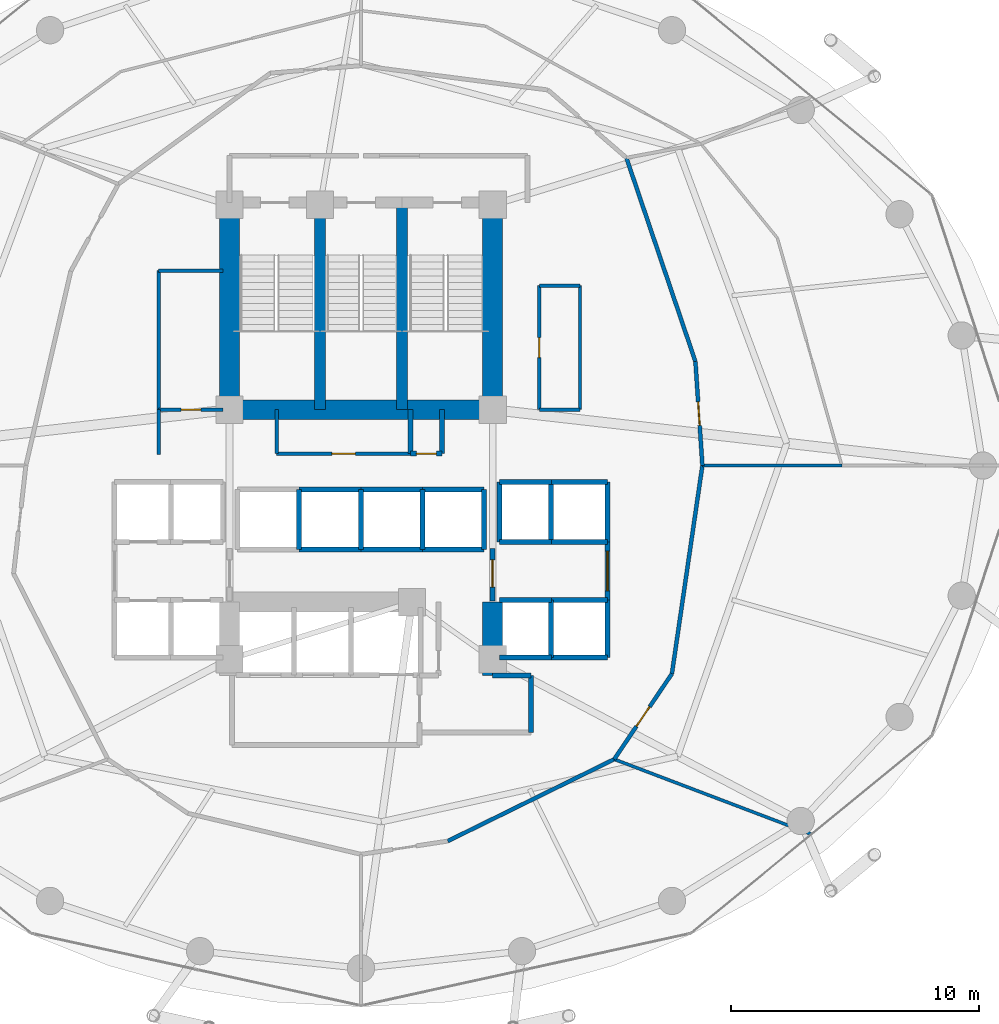
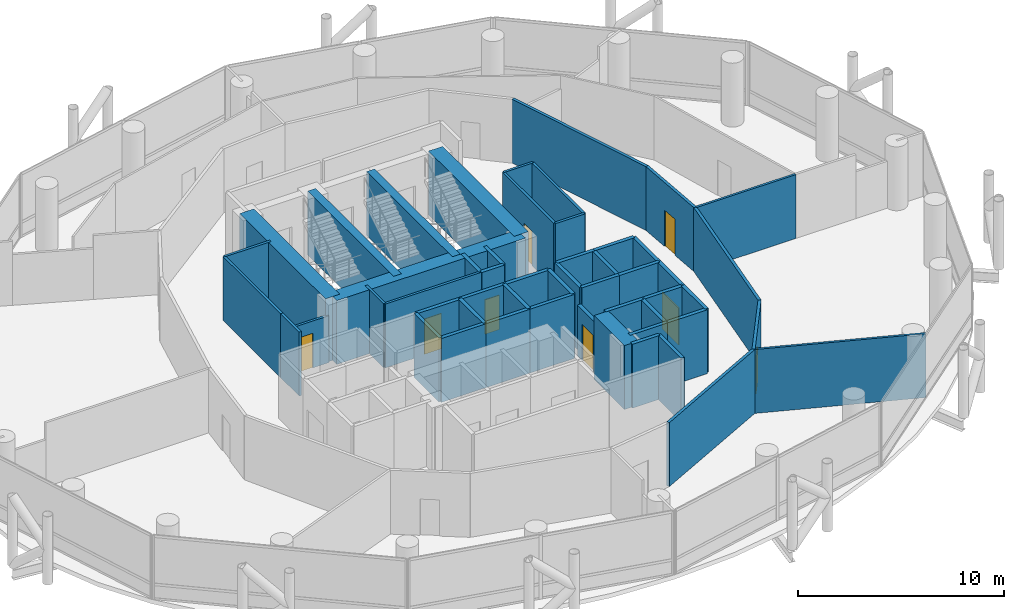
# One storey, part 22 of 25: 53 walls, 8 doors, 8 openings.
"""IFC4 building model written with IfcOpenShell, lengths in metres."""

from ifc_helpers import new_model, si_unit, direction, frame, frame_2d, origin, place, context, subcontext, project, spatial, rectangle, extrude, material, layer, layer_set, type_object, element, fill, save


model = new_model("IFC4")

# Units and contexts
model_context = context("Model", 3, precision=1e-05, world=origin(), true_north=direction((0.0, 1.0)))
body_context = subcontext(model_context, "Body", "Model", "MODEL_VIEW")
ifc_project = project(units=[si_unit("LENGTHUNIT", "METRE"), si_unit("AREAUNIT", "SQUARE_METRE"), si_unit("VOLUMEUNIT", "CUBIC_METRE"), si_unit("PLANEANGLEUNIT", "RADIAN"), si_unit("MASSUNIT", "GRAM", prefix="KILO")], contexts=[model_context])

# Site, building, storey
site_placement = place(None, origin())
site = spatial("IfcSite", under=ifc_project, at=site_placement, CompositionType="ELEMENT")
building_placement = place(site_placement, origin())
building = spatial("IfcBuilding", under=site, at=building_placement, Name="Nuhasar Tower", CompositionType="ELEMENT")
storey_placement = place(building_placement, frame((0.0, 0.0, 49.35009765625)))
storey = spatial("IfcBuildingStorey", under=building, at=storey_placement, Name="L11", CompositionType="ELEMENT", Elevation=49.35009765625)

# Walls
ifc_material_1 = material(Name="Concrete C50/60", Category="concrete")
ifc_layer_1 = layer(ifc_material_1, 0.449951171875)
ifc_layer_set_1 = layer_set([ifc_layer_1], Name="Concrete C50/60")
wall_type_1 = type_object("IfcWallType", Name="WL-CORE-450", PredefinedType="SHEAR", material=ifc_layer_set_1)
for number, where, z_axis, x_axis, name in (
    (1, (37.35009765625, 29.050048828125, 0.0), (0.0, 0.0, 1.0), (0.0, 1.0, 0.0), "L11 Stairwell Shear Wall ST01-E"),
    (2, (40.64990234375, 29.050048828125, 0.0), (0.0, 0.0, 1.0), (0.0, 1.0, 0.0), "L11 Stairwell Shear Wall ST03-E"),
):
    element("IfcWall", number, at=place(storey_placement, frame(where, z_axis=z_axis, x_axis=x_axis)), inside=storey, type_object=wall_type_1, Name=name, PredefinedType="SHEAR", context=body_context, shape_type="SweptSolid", body=[
        extrude(rectangle(XDim=8.349853515625, YDim=0.449951171875, at=frame_2d((4.1748046875, 0.0))), origin(), (0.0, 0.0, 1.0), 3.789794921875),
    ])
ifc_material_2 = material(Name="Concrete C80/95", Category="concrete")
ifc_layer_2 = layer(ifc_material_2, 0.800048828125)
ifc_layer_set_2 = layer_set([ifc_layer_2], Name="Concrete C80/95")
wall_type_2 = type_object("IfcWallType", Name="WL-CORE-800", PredefinedType="SHEAR", material=ifc_layer_set_2)
for number, where, z_axis, x_axis, name in (
    (3, (33.699951171875, 29.050048828125, 0.0), (0.0, 0.0, 1.0), (0.0, 1.0, 0.0), "L11 Core Shear Wall CW-NW CW-800"),
    (4, (44.300048828125, 29.050048828125, 0.0), (0.0, 0.0, 1.0), (0.0, 1.0, 0.0), "L11 Core Shear Wall CW-NE CW-800"),
):
    element("IfcWall", number, at=place(storey_placement, frame(where, z_axis=z_axis, x_axis=x_axis)), inside=storey, type_object=wall_type_2, Name=name, PredefinedType="SHEAR", context=body_context, shape_type="SweptSolid", body=[
        extrude(rectangle(XDim=8.349853515625, YDim=0.800048828125, at=frame_2d((4.1748046875, 0.0))), origin(), (0.0, 0.0, 1.0), 3.789794921875),
    ])
wall_1_placement = place(storey_placement, frame((44.300048828125, 18.35009765625, 0.0), z_axis=(0.0, 0.0, 1.0), x_axis=(0.0, 1.0, 0.0)))
element("IfcWall", 5, at=wall_1_placement, inside=storey, type_object=wall_type_2, Name="L11 Core Shear Wall CW-SE CW-800", PredefinedType="SHEAR", context=body_context, shape_type="SweptSolid", body=[
    extrude(rectangle(XDim=2.949951171875, YDim=0.800048828125, at=frame_2d((1.47509765625, 0.0))), origin(), (0.0, 0.0, 1.0), 3.789794921875),
])
wall_2_placement = place(storey_placement, frame((33.699951171875, 29.050048828125, 0.0), z_axis=(0.0, 0.0, 1.0), x_axis=(1.0, 0.0, 0.0)))
element("IfcWall", 6, at=wall_2_placement, inside=storey, type_object=wall_type_2, Name="L11 Core Shear Wall CW-N1 CW-800", PredefinedType="SHEAR", context=body_context, shape_type="SweptSolid", body=[
    extrude(rectangle(XDim=10.60009765625, YDim=0.800048828125, at=frame_2d((5.300048828125, 0.0))), origin(), (0.0, 0.0, 1.0), 3.789794921875),
])

# Wall, opening, door
ifc_material_3 = material(Name="Gypsum Board", Category="gypsum")
ifc_layer_3 = layer(ifc_material_3, 0.159912109375)
ifc_layer_set_3 = layer_set([ifc_layer_3], Name="Gypsum Board")
wall_type_3 = type_object("IfcWallType", Name="WL-CORR-160", PredefinedType="PARTITIONING", material=ifc_layer_set_3)
wall_3_placement = place(storey_placement, frame((52.469970703125, 30.987060546875, 0.0), z_axis=(0.0, 0.0, 1.0), x_axis=(0.06673138835, -0.997770976632, 0.0)))
wall_3 = element("IfcWall", 7, at=wall_3_placement, inside=storey, type_object=wall_type_3, Name="L11 Interior Partition CORR-00", PredefinedType="PARTITIONING", context=body_context, shape_type="SweptSolid", body=[
    extrude(rectangle(XDim=4.1962890625, YDim=0.159912109375, at=frame_2d((2.09814453125, 0.0))), origin(), (0.0, 0.0, 1.0), 3.789794921875),
])
opening_1_placement = place(wall_3_placement, frame((1.623046875, 0.0, 0.0)))
opening_1 = element("IfcOpeningElement", 8, at=opening_1_placement, cuts=wall_3, Name="Opening DO-01", PredefinedType="OPENING", context=body_context, shape_type="SweptSolid", body=[
    extrude(rectangle(XDim=0.949951171875, YDim=2.14990234375, at=frame_2d((0.47509765625, 1.074951171875))), frame((0.0, 0.08984375, 0.0), z_axis=(0.0, -1.0, 0.0), x_axis=(1.0, 0.0, 0.0)), (0.0, 0.0, 1.0), 0.179931640625),
])
ifc_material_4 = material(Name="Timber Oak", Category="wood")
door_type_1 = type_object("IfcDoorType", Name="DR-OFFICE-FD30-950", OperationType="NOTDEFINED", PredefinedType="DOOR", material=ifc_material_4)
door_1_placement = place(opening_1_placement, origin())
door_1 = element("IfcDoor", 9, at=door_1_placement, inside=storey, type_object=door_type_1, Name="L11 Legal Chambers A Entry Door", OperationType="SINGLE_SWING_LEFT", OverallHeight=2.14990234375, OverallWidth=0.949951171875, PredefinedType="DOOR", context=body_context, shape_type="SweptSolid", body=[
    extrude(rectangle(XDim=0.949951171875, YDim=2.14990234375, at=frame_2d((0.47509765625, 1.074951171875))), frame((0.0, 0.02490234375, 0.0), z_axis=(0.0, -1.0, 0.0), x_axis=(1.0, 0.0, 0.0)), (0.0, 0.0, 1.0), 0.050048828125),
])
fill(opening_1, door_1)

# Walls
wall_4_placement = place(storey_placement, frame((52.469970703125, 30.987060546875, 0.0), z_axis=(0.0, 0.0, 1.0), x_axis=(-0.320794809252, 0.947148716072, 0.0)))
element("IfcWall", 10, at=wall_4_placement, inside=storey, type_object=wall_type_3, Name="L11 Interior Partition CORR-02", PredefinedType="PARTITIONING", context=body_context, shape_type="SweptSolid", body=[
    extrude(rectangle(XDim=8.669189453125, YDim=0.159912109375, at=frame_2d((4.33447265625, 0.0))), origin(), (0.0, 0.0, 1.0), 3.789794921875),
])
wall_5_placement = place(storey_placement, frame((42.493896484375, 11.674072265625, 0.0), z_axis=(0.0, 0.0, 1.0), x_axis=(0.897439047431, 0.441138477291, 0.0)))
element("IfcWall", 11, at=wall_5_placement, inside=storey, type_object=wall_type_3, Name="L11 Interior Partition CORR-38", PredefinedType="PARTITIONING", context=body_context, shape_type="SweptSolid", body=[
    extrude(rectangle(XDim=7.471435546875, YDim=0.159912109375, at=frame_2d((3.73583984375, 0.0))), origin(), (0.0, 0.0, 1.0), 3.789794921875),
])

# Wall, opening, door
wall_6_placement = place(storey_placement, frame((51.52197265625, 18.4140625, 0.0), z_axis=(0.0, 0.0, 1.0), x_axis=(-0.559181123292, -0.829045518264, 0.0)))
wall_6 = element("IfcWall", 12, at=wall_6_placement, inside=storey, type_object=wall_type_3, Name="L11 Interior Partition CORR-42", PredefinedType="PARTITIONING", context=body_context, shape_type="SweptSolid", body=[
    extrude(rectangle(XDim=4.154296875, YDim=0.159912109375, at=frame_2d((2.0771484375, 0.0))), origin(), (0.0, 0.0, 1.0), 3.789794921875),
])
opening_2_placement = place(wall_6_placement, frame((1.60205078125, 0.0, 0.0)))
opening_2 = element("IfcOpeningElement", 13, at=opening_2_placement, cuts=wall_6, Name="Opening DO-01", PredefinedType="OPENING", context=body_context, shape_type="SweptSolid", body=[
    extrude(rectangle(XDim=0.949951171875, YDim=2.14990234375, at=frame_2d((0.47509765625, 1.074951171875))), frame((0.0, 0.08984375, 0.0), z_axis=(0.0, -1.0, 0.0), x_axis=(1.0, 0.0, 0.0)), (0.0, 0.0, 1.0), 0.179931640625),
])
door_2_placement = place(opening_2_placement, origin())
door_2 = element("IfcDoor", 14, at=door_2_placement, inside=storey, type_object=door_type_1, Name="L11 Evidence Filing Store Entry Door", OperationType="SINGLE_SWING_LEFT", OverallHeight=2.14990234375, OverallWidth=0.949951171875, PredefinedType="DOOR", context=body_context, shape_type="SweptSolid", body=[
    extrude(rectangle(XDim=0.949951171875, YDim=2.14990234375, at=frame_2d((0.47509765625, 1.074951171875))), frame((0.0, 0.02490234375, 0.0), z_axis=(0.0, -1.0, 0.0), x_axis=(1.0, 0.0, 0.0)), (0.0, 0.0, 1.0), 0.050048828125),
])
fill(opening_2, door_2)

# Wall
wall_7_placement = place(storey_placement, frame((51.52197265625, 18.4140625, 0.0), z_axis=(0.0, 0.0, 1.0), x_axis=(0.14489272673, 0.989447369869, 0.0)))
element("IfcWall", 15, at=wall_7_placement, inside=storey, type_object=wall_type_3, Name="L11 Interior Partition CORR-44", PredefinedType="PARTITIONING", context=body_context, shape_type="SweptSolid", body=[
    extrude(rectangle(XDim=8.475341796875, YDim=0.159912109375, at=frame_2d((4.23779296875, 0.0))), origin(), (0.0, 0.0, 1.0), 3.789794921875),
])

# Wall, opening, door
ifc_material_5 = material(Name="Concrete C45/55", Category="concrete")
ifc_layer_4 = layer(ifc_material_5, 0.199951171875)
ifc_layer_set_4 = layer_set([ifc_layer_4], Name="Concrete C45/55")
wall_type_4 = type_object("IfcWallType", Name="WL-LOBBY-200", PredefinedType="SOLIDWALL", material=ifc_layer_set_4)
wall_8_placement = place(storey_placement, frame((48.929931640625, 21.3798828125, 0.0), z_axis=(0.0, 0.0, 1.0), x_axis=(0.0, 1.0, 0.0)))
wall_8 = element("IfcWall", 16, at=wall_8_placement, inside=storey, type_object=wall_type_4, Name="L11 Interior Partition LLBM-E", PredefinedType="SOLIDWALL", context=body_context, shape_type="SweptSolid", body=[
    extrude(rectangle(XDim=2.340087890625, YDim=0.199951171875, at=frame_2d((1.169921875, 0.0))), origin(), (0.0, 0.0, 1.0), 3.789794921875),
])
opening_3_placement = place(wall_8_placement, frame((0.3701171875, 0.0, 0.0)))
opening_3 = element("IfcOpeningElement", 17, at=opening_3_placement, cuts=wall_8, Name="Opening DC-01", PredefinedType="OPENING", context=body_context, shape_type="SweptSolid", body=[
    extrude(rectangle(XDim=1.60009765625, YDim=2.199951171875, at=frame_2d((0.800048828125, 1.10009765625))), frame((0.0, 0.10986328125, 0.0), z_axis=(0.0, -1.0, 0.0), x_axis=(1.0, 0.0, 0.0)), (0.0, 0.0, 1.0), 0.219970703125),
])
ifc_material_6 = material(Name="Steel S355", Category="steel")
door_type_2 = type_object("IfcDoorType", Name="DR-CORR-FD60-1600", OperationType="DOUBLE_DOOR_SINGLE_SWING", PredefinedType="DOOR", material=ifc_material_6)
door_3_placement = place(opening_3_placement, origin())
door_3 = element("IfcDoor", 18, at=door_3_placement, inside=storey, type_object=door_type_2, Name="L11 Mid-Rise Lift Lobby East Entry", OperationType="DOUBLE_DOOR_SINGLE_SWING", OverallHeight=2.199951171875, OverallWidth=1.60009765625, PredefinedType="DOOR", context=body_context, shape_type="SweptSolid", body=[
    extrude(rectangle(XDim=1.60009765625, YDim=2.199951171875, at=frame_2d((0.800048828125, 1.10009765625))), frame((0.0, 0.02490234375, 0.0), z_axis=(0.0, -1.0, 0.0), x_axis=(1.0, 0.0, 0.0)), (0.0, 0.0, 1.0), 0.050048828125),
])
fill(opening_3, door_3)

wall_9_placement = place(storey_placement, frame((44.300048828125, 21.35009765625, 0.0), z_axis=(0.0, 0.0, 1.0), x_axis=(0.0, 1.0, 0.0)))
wall_9 = element("IfcWall", 19, at=wall_9_placement, inside=storey, type_object=wall_type_4, Name="L11 Interior Partition LLBH-E", PredefinedType="SOLIDWALL", context=body_context, shape_type="SweptSolid", body=[
    extrude(rectangle(XDim=2.099853515625, YDim=0.199951171875, at=frame_2d((1.0498046875, 0.0))), origin(), (0.0, 0.0, 1.0), 3.010009765625),
])
opening_4_placement = place(wall_9_placement, frame((0.550048828125, 0.0, 0.0)))
opening_4 = element("IfcOpeningElement", 20, at=opening_4_placement, cuts=wall_9, Name="Opening DS-02", PredefinedType="OPENING", context=body_context, shape_type="SweptSolid", body=[
    extrude(rectangle(XDim=1.10009765625, YDim=2.14990234375, at=frame_2d((0.550048828125, 1.074951171875))), frame((0.0, 0.10986328125, 0.0), z_axis=(0.0, -1.0, 0.0), x_axis=(1.0, 0.0, 0.0)), (0.0, 0.0, 1.0), 0.219970703125),
])
door_type_3 = type_object("IfcDoorType", Name="DR-FFL-FD120-1100", OperationType="NOTDEFINED", PredefinedType="DOOR", material=ifc_material_6)
door_4_placement = place(opening_4_placement, origin())
door_4 = element("IfcDoor", 21, at=door_4_placement, inside=storey, type_object=door_type_3, Name="L11 High-Rise Lobby East Door", OperationType="SINGLE_SWING_RIGHT", OverallHeight=2.14990234375, OverallWidth=1.10009765625, PredefinedType="DOOR", context=body_context, shape_type="SweptSolid", body=[
    extrude(rectangle(XDim=1.10009765625, YDim=2.14990234375, at=frame_2d((0.550048828125, 1.074951171875))), frame((0.0, 0.02490234375, 0.0), z_axis=(0.0, -1.0, 0.0), x_axis=(1.0, 0.0, 0.0)), (0.0, 0.0, 1.0), 0.050048828125),
])
fill(opening_4, door_4)

# Walls
wall_10_placement = place(storey_placement, frame((45.85009765625, 16.050048828125, 0.0), z_axis=(0.0, 0.0, 1.0), x_axis=(0.0, 1.0, 0.0)))
element("IfcWall", 22, at=wall_10_placement, inside=storey, type_object=wall_type_4, Name="L11 Interior Partition SVLV-E", PredefinedType="SOLIDWALL", context=body_context, shape_type="SweptSolid", body=[
    extrude(rectangle(XDim=2.300048828125, YDim=0.199951171875, at=frame_2d((1.14990234375, 0.0))), origin(), (0.0, 0.0, 1.0), 3.789794921875),
])
wall_11_placement = place(storey_placement, frame((44.300048828125, 18.35009765625, 0.0), z_axis=(0.0, 0.0, 1.0), x_axis=(1.0, 0.0, 0.0)))
element("IfcWall", 23, at=wall_11_placement, inside=storey, type_object=wall_type_4, Name="L11 Interior Partition SVLV-N", PredefinedType="SOLIDWALL", context=body_context, shape_type="SweptSolid", body=[
    extrude(rectangle(XDim=1.550048828125, YDim=0.199951171875, at=frame_2d((0.77490234375, 0.0))), origin(), (0.0, 0.0, 1.0), 3.789794921875),
])
ifc_layer_5 = layer(ifc_material_3, 0.125)
ifc_layer_set_5 = layer_set([ifc_layer_5], Name="Gypsum Board")
wall_type_5 = type_object("IfcWallType", Name="WL-PART-125", PredefinedType="PARTITIONING", material=ifc_layer_set_5)
wall_12_placement = place(storey_placement, frame((52.75, 26.800048828125, 0.0), z_axis=(0.0, 0.0, 1.0), x_axis=(1.0, 0.0, 0.0)))
element("IfcWall", 24, at=wall_12_placement, inside=storey, type_object=wall_type_5, Name="L11 Interior Partition ORAD-00-S1", PredefinedType="PARTITIONING", context=body_context, shape_type="SweptSolid", body=[
    extrude(rectangle(XDim=5.616943359375, YDim=0.125, at=frame_2d((2.80859375, 0.0))), origin(), (0.0, 0.0, 1.0), 3.789794921875),
])
wall_13_placement = place(storey_placement, frame((49.198974609375, 14.969970703125, 0.0), z_axis=(0.0, 0.0, 1.0), x_axis=(0.934775541041, -0.355238916605, 0.0)))
element("IfcWall", 25, at=wall_13_placement, inside=storey, type_object=wall_type_5, Name="L11 Interior Partition ORAD-42", PredefinedType="PARTITIONING", context=body_context, shape_type="SweptSolid", body=[
    extrude(rectangle(XDim=8.470458984375, YDim=0.125, at=frame_2d((4.2353515625, 0.0))), origin(), (0.0, 0.0, 1.0), 3.789794921875),
])
ifc_layer_6 = layer(ifc_material_5, 0.199951171875)
ifc_layer_set_6 = layer_set([ifc_layer_6], Name="Concrete C45/55")
wall_type_6 = type_object("IfcWallType", Name="WL-SHAFT-200", PredefinedType="SOLIDWALL", material=ifc_layer_set_6)
for number, where, z_axis, x_axis, name in (
    (26, (41.0, 27.280029296875, 0.0), (0.0, 0.0, 1.0), (0.0, 1.0, 0.0), "L11 Interior Partition RSRN-W"),
    (27, (42.260009765625, 27.280029296875, 0.0), (0.0, 0.0, 1.0), (0.0, 1.0, 0.0), "L11 Interior Partition RSRN-E"),
):
    element("IfcWall", number, at=place(storey_placement, frame(where, z_axis=z_axis, x_axis=x_axis)), inside=storey, type_object=wall_type_6, Name=name, PredefinedType="SOLIDWALL", context=body_context, shape_type="SweptSolid", body=[
        extrude(rectangle(XDim=1.77001953125, YDim=0.199951171875, at=frame_2d((0.885009765625, 0.0))), origin(), (0.0, 0.0, 1.0), 3.789794921875),
    ])

# Wall, opening, door
wall_14_placement = place(storey_placement, frame((41.0, 27.280029296875, 0.0), z_axis=(0.0, 0.0, 1.0), x_axis=(1.0, 0.0, 0.0)))
wall_14 = element("IfcWall", 28, at=wall_14_placement, inside=storey, type_object=wall_type_6, Name="L11 Interior Partition RSRN-S", PredefinedType="SOLIDWALL", context=body_context, shape_type="SweptSolid", body=[
    extrude(rectangle(XDim=1.260009765625, YDim=0.199951171875, at=frame_2d((0.6298828125, 0.0))), origin(), (0.0, 0.0, 1.0), 3.789794921875),
])
opening_5_placement = place(wall_14_placement, frame((0.22998046875, 0.0, 0.0)))
opening_5 = element("IfcOpeningElement", 29, at=opening_5_placement, cuts=wall_14, Name="Opening DM-01", PredefinedType="OPENING", context=body_context, shape_type="SweptSolid", body=[
    extrude(rectangle(XDim=0.800048828125, YDim=2.050048828125, at=frame_2d((0.39990234375, 1.02490234375))), frame((0.0, 0.10986328125, 0.0), z_axis=(0.0, -1.0, 0.0), x_axis=(1.0, 0.0, 0.0)), (0.0, 0.0, 1.0), 0.219970703125),
])
door_type_4 = type_object("IfcDoorType", Name="DR-RISER-FD60-800", OperationType="NOTDEFINED", PredefinedType="DOOR", material=ifc_material_6)
door_5_placement = place(opening_5_placement, origin())
door_5 = element("IfcDoor", 30, at=door_5_placement, inside=storey, type_object=door_type_4, Name="L11 North Smoke Riser Door", OperationType="SINGLE_SWING_RIGHT", OverallHeight=2.050048828125, OverallWidth=0.800048828125, PredefinedType="DOOR", context=body_context, shape_type="SweptSolid", body=[
    extrude(rectangle(XDim=0.800048828125, YDim=2.050048828125, at=frame_2d((0.39990234375, 1.02490234375))), frame((0.0, 0.02490234375, 0.0), z_axis=(0.0, -1.0, 0.0), x_axis=(1.0, 0.0, 0.0)), (0.0, 0.0, 1.0), 0.050048828125),
])
fill(opening_5, door_5)

# Walls
for number, where, z_axis, x_axis, name in (
    (31, (44.570068359375, 23.719970703125, 0.0), (0.0, 0.0, 1.0), (1.0, 0.0, 0.0), "L11 Interior Partition SHF-PL-M01-S"),
    (32, (44.570068359375, 26.1298828125, 0.0), (0.0, 0.0, 1.0), (1.0, 0.0, 0.0), "L11 Interior Partition SHF-PL-M01-N"),
):
    element("IfcWall", number, at=place(storey_placement, frame(where, z_axis=z_axis, x_axis=x_axis)), inside=storey, type_object=wall_type_6, Name=name, PredefinedType="SOLIDWALL", context=body_context, shape_type="SweptSolid", body=[
        extrude(rectangle(XDim=2.10986328125, YDim=0.199951171875, at=frame_2d((1.054931640625, 0.0))), origin(), (0.0, 0.0, 1.0), 3.789794921875),
    ])
for number, where, z_axis, x_axis, name in (
    (33, (44.570068359375, 23.719970703125, 0.0), (0.0, 0.0, 1.0), (0.0, 1.0, 0.0), "L11 Interior Partition SHF-PL-M01-W"),
    (34, (46.64990234375, 23.719970703125, 0.0), (0.0, 0.0, 1.0), (0.0, 1.0, 0.0), "L11 Interior Partition SHF-PL-M01-E"),
):
    element("IfcWall", number, at=place(storey_placement, frame(where, z_axis=z_axis, x_axis=x_axis)), inside=storey, type_object=wall_type_6, Name=name, PredefinedType="SOLIDWALL", context=body_context, shape_type="SweptSolid", body=[
        extrude(rectangle(XDim=2.409912109375, YDim=0.199951171875, at=frame_2d((1.205078125, 0.0))), origin(), (0.0, 0.0, 1.0), 3.789794921875),
    ])
for number, where, z_axis, x_axis, name in (
    (35, (46.6201171875, 23.719970703125, 0.0), (0.0, 0.0, 1.0), (1.0, 0.0, 0.0), "L11 Interior Partition SHF-PL-M02-S"),
    (36, (46.6201171875, 26.1298828125, 0.0), (0.0, 0.0, 1.0), (1.0, 0.0, 0.0), "L11 Interior Partition SHF-PL-M02-N"),
):
    element("IfcWall", number, at=place(storey_placement, frame(where, z_axis=z_axis, x_axis=x_axis)), inside=storey, type_object=wall_type_6, Name=name, PredefinedType="SOLIDWALL", context=body_context, shape_type="SweptSolid", body=[
        extrude(rectangle(XDim=2.309814453125, YDim=0.199951171875, at=frame_2d((1.15478515625, 0.0))), origin(), (0.0, 0.0, 1.0), 3.789794921875),
    ])
wall_15_placement = place(storey_placement, frame((48.929931640625, 23.719970703125, 0.0), z_axis=(0.0, 0.0, 1.0), x_axis=(0.0, 1.0, 0.0)))
element("IfcWall", 37, at=wall_15_placement, inside=storey, type_object=wall_type_6, Name="L11 Interior Partition SHF-PL-M02-E", PredefinedType="SOLIDWALL", context=body_context, shape_type="SweptSolid", body=[
    extrude(rectangle(XDim=2.409912109375, YDim=0.199951171875, at=frame_2d((1.205078125, 0.0))), origin(), (0.0, 0.0, 1.0), 3.789794921875),
])
for number, where, z_axis, x_axis, name in (
    (38, (44.570068359375, 19.070068359375, 0.0), (0.0, 0.0, 1.0), (1.0, 0.0, 0.0), "L11 Interior Partition SHF-PL-M03-S"),
    (39, (44.570068359375, 21.3798828125, 0.0), (0.0, 0.0, 1.0), (1.0, 0.0, 0.0), "L11 Interior Partition SHF-PL-M03-N"),
):
    element("IfcWall", number, at=place(storey_placement, frame(where, z_axis=z_axis, x_axis=x_axis)), inside=storey, type_object=wall_type_6, Name=name, PredefinedType="SOLIDWALL", context=body_context, shape_type="SweptSolid", body=[
        extrude(rectangle(XDim=2.10986328125, YDim=0.199951171875, at=frame_2d((1.054931640625, 0.0))), origin(), (0.0, 0.0, 1.0), 3.789794921875),
    ])
for number, where, z_axis, x_axis, name in (
    (40, (46.64990234375, 19.070068359375, 0.0), (0.0, 0.0, 1.0), (0.0, 1.0, 0.0), "L11 Interior Partition SHF-PL-M03-E"),
    (41, (46.6201171875, 19.070068359375, 0.0), (0.0, 0.0, 1.0), (1.0, 0.0, 0.0), "L11 Interior Partition SHF-PL-M04-S"),
    (42, (46.6201171875, 21.3798828125, 0.0), (0.0, 0.0, 1.0), (1.0, 0.0, 0.0), "L11 Interior Partition SHF-PL-M04-N"),
    (43, (48.929931640625, 19.070068359375, 0.0), (0.0, 0.0, 1.0), (0.0, 1.0, 0.0), "L11 Interior Partition SHF-PL-M04-E"),
):
    element("IfcWall", number, at=place(storey_placement, frame(where, z_axis=z_axis, x_axis=x_axis)), inside=storey, type_object=wall_type_6, Name=name, PredefinedType="SOLIDWALL", context=body_context, shape_type="SweptSolid", body=[
        extrude(rectangle(XDim=2.309814453125, YDim=0.199951171875, at=frame_2d((1.15478515625, 0.0))), origin(), (0.0, 0.0, 1.0), 3.789794921875),
    ])
wall_16_placement = place(storey_placement, frame((36.510009765625, 23.419921875, 0.0), z_axis=(0.0, 0.0, 1.0), x_axis=(0.0, 1.0, 0.0)))
element("IfcWall", 44, at=wall_16_placement, inside=storey, type_object=wall_type_6, Name="L11 Interior Partition SHF-PL-H01-E", PredefinedType="SOLIDWALL", context=body_context, shape_type="SweptSolid", body=[
    extrude(rectangle(XDim=2.41015625, YDim=0.199951171875, at=frame_2d((1.205078125, 0.0))), origin(), (0.0, 0.0, 1.0), 3.789794921875),
])
for number, where, z_axis, x_axis, name in (
    (45, (36.5, 23.419921875, 0.0), (0.0, 0.0, 1.0), (1.0, 0.0, 0.0), "L11 Interior Partition SHF-PL-H02-S"),
    (46, (36.5, 25.830078125, 0.0), (0.0, 0.0, 1.0), (1.0, 0.0, 0.0), "L11 Interior Partition SHF-PL-H02-N"),
):
    element("IfcWall", number, at=place(storey_placement, frame(where, z_axis=z_axis, x_axis=x_axis)), inside=storey, type_object=wall_type_6, Name=name, PredefinedType="SOLIDWALL", context=body_context, shape_type="SweptSolid", body=[
        extrude(rectangle(XDim=2.5, YDim=0.199951171875, at=frame_2d((1.25, 0.0))), origin(), (0.0, 0.0, 1.0), 3.789794921875),
    ])
wall_17_placement = place(storey_placement, frame((38.989990234375, 23.419921875, 0.0), z_axis=(0.0, 0.0, 1.0), x_axis=(0.0, 1.0, 0.0)))
element("IfcWall", 47, at=wall_17_placement, inside=storey, type_object=wall_type_6, Name="L11 Interior Partition SHF-PL-H02-E", PredefinedType="SOLIDWALL", context=body_context, shape_type="SweptSolid", body=[
    extrude(rectangle(XDim=2.41015625, YDim=0.199951171875, at=frame_2d((1.205078125, 0.0))), origin(), (0.0, 0.0, 1.0), 3.789794921875),
])
for number, where, z_axis, x_axis, name in (
    (48, (38.97998046875, 23.419921875, 0.0), (0.0, 0.0, 1.0), (1.0, 0.0, 0.0), "L11 Interior Partition SHF-PL-H03-S"),
    (49, (38.97998046875, 25.830078125, 0.0), (0.0, 0.0, 1.0), (1.0, 0.0, 0.0), "L11 Interior Partition SHF-PL-H03-N"),
):
    element("IfcWall", number, at=place(storey_placement, frame(where, z_axis=z_axis, x_axis=x_axis)), inside=storey, type_object=wall_type_6, Name=name, PredefinedType="SOLIDWALL", context=body_context, shape_type="SweptSolid", body=[
        extrude(rectangle(XDim=2.5, YDim=0.199951171875, at=frame_2d((1.25, 0.0))), origin(), (0.0, 0.0, 1.0), 3.789794921875),
    ])
wall_18_placement = place(storey_placement, frame((41.469970703125, 23.419921875, 0.0), z_axis=(0.0, 0.0, 1.0), x_axis=(0.0, 1.0, 0.0)))
element("IfcWall", 50, at=wall_18_placement, inside=storey, type_object=wall_type_6, Name="L11 Interior Partition SHF-PL-H03-E", PredefinedType="SOLIDWALL", context=body_context, shape_type="SweptSolid", body=[
    extrude(rectangle(XDim=2.41015625, YDim=0.199951171875, at=frame_2d((1.205078125, 0.0))), origin(), (0.0, 0.0, 1.0), 3.789794921875),
])
for number, where, z_axis, x_axis, name in (
    (51, (41.4599609375, 23.419921875, 0.0), (0.0, 0.0, 1.0), (1.0, 0.0, 0.0), "L11 Interior Partition SHF-PL-H04-S"),
    (52, (41.4599609375, 25.830078125, 0.0), (0.0, 0.0, 1.0), (1.0, 0.0, 0.0), "L11 Interior Partition SHF-PL-H04-N"),
):
    element("IfcWall", number, at=place(storey_placement, frame(where, z_axis=z_axis, x_axis=x_axis)), inside=storey, type_object=wall_type_6, Name=name, PredefinedType="SOLIDWALL", context=body_context, shape_type="SweptSolid", body=[
        extrude(rectangle(XDim=2.5, YDim=0.199951171875, at=frame_2d((1.25, 0.0))), origin(), (0.0, 0.0, 1.0), 3.789794921875),
    ])
wall_19_placement = place(storey_placement, frame((43.9599609375, 23.419921875, 0.0), z_axis=(0.0, 0.0, 1.0), x_axis=(0.0, 1.0, 0.0)))
element("IfcWall", 53, at=wall_19_placement, inside=storey, type_object=wall_type_6, Name="L11 Interior Partition SHF-PL-H04-E", PredefinedType="SOLIDWALL", context=body_context, shape_type="SweptSolid", body=[
    extrude(rectangle(XDim=2.41015625, YDim=0.199951171875, at=frame_2d((1.205078125, 0.0))), origin(), (0.0, 0.0, 1.0), 3.789794921875),
])
ifc_material_7 = material(Name="Concrete C40/50 precast", Category="concrete")
ifc_layer_7 = layer(ifc_material_7, 0.139892578125)
ifc_layer_set_7 = layer_set([ifc_layer_7], Name="Concrete C40/50 precast")
wall_type_7 = type_object("IfcWallType", Name="WL-WET-140", PredefinedType="PARTITIONING", material=ifc_layer_set_7)
wall_20_placement = place(storey_placement, frame((35.60009765625, 27.280029296875, 0.0), z_axis=(0.0, 0.0, 1.0), x_axis=(0.0, 1.0, 0.0)))
element("IfcWall", 54, at=wall_20_placement, inside=storey, type_object=wall_type_7, Name="L11 Interior Partition CSVC-W", PredefinedType="PARTITIONING", context=body_context, shape_type="SweptSolid", body=[
    extrude(rectangle(XDim=1.77001953125, YDim=0.139892578125, at=frame_2d((0.885009765625, 0.0))), origin(), (0.0, 0.0, 1.0), 3.789794921875),
])

# Wall, opening, door
wall_21_placement = place(storey_placement, frame((35.60009765625, 27.280029296875, 0.0), z_axis=(0.0, 0.0, 1.0), x_axis=(1.0, 0.0, 0.0)))
wall_21 = element("IfcWall", 55, at=wall_21_placement, inside=storey, type_object=wall_type_7, Name="L11 Interior Partition CSVC-S", PredefinedType="PARTITIONING", context=body_context, shape_type="SweptSolid", body=[
    extrude(rectangle(XDim=5.39990234375, YDim=0.139892578125, at=frame_2d((2.699951171875, 0.0))), origin(), (0.0, 0.0, 1.0), 3.789794921875),
])
opening_6_placement = place(wall_21_placement, frame((2.22509765625, 0.0, 0.0)))
opening_6 = element("IfcOpeningElement", 56, at=opening_6_placement, cuts=wall_21, Name="Opening DA-01", PredefinedType="OPENING", context=body_context, shape_type="SweptSolid", body=[
    extrude(rectangle(XDim=0.949951171875, YDim=2.10009765625, at=frame_2d((0.47509765625, 1.050048828125))), frame((0.0, 0.080078125, 0.0), z_axis=(0.0, -1.0, 0.0), x_axis=(1.0, 0.0, 0.0)), (0.0, 0.0, 1.0), 0.159912109375),
])
door_type_5 = type_object("IfcDoorType", Name="DR-ACCWC-950", OperationType="NOTDEFINED", PredefinedType="DOOR", material=ifc_material_4)
door_6_placement = place(opening_6_placement, origin())
door_6 = element("IfcDoor", 57, at=door_6_placement, inside=storey, type_object=door_type_5, Name="L11 Core Accessible Restroom Door", OperationType="SINGLE_SWING_RIGHT", OverallHeight=2.10009765625, OverallWidth=0.949951171875, PredefinedType="DOOR", context=body_context, shape_type="SweptSolid", body=[
    extrude(rectangle(XDim=0.949951171875, YDim=2.10009765625, at=frame_2d((0.47509765625, 1.050048828125))), frame((0.0, 0.02490234375, 0.0), z_axis=(0.0, -1.0, 0.0), x_axis=(1.0, 0.0, 0.0)), (0.0, 0.0, 1.0), 0.050048828125),
])
fill(opening_6, door_6)

# Wall
wall_22_placement = place(storey_placement, frame((30.85009765625, 27.239990234375, 0.0), z_axis=(0.0, 0.0, 1.0), x_axis=(0.0, 1.0, 0.0)))
element("IfcWall", 58, at=wall_22_placement, inside=storey, type_object=wall_type_7, Name="L11 Interior Partition K3-FOY-W", PredefinedType="PARTITIONING", context=body_context, shape_type="SweptSolid", body=[
    extrude(rectangle(XDim=1.81005859375, YDim=0.139892578125, at=frame_2d((0.905029296875, 0.0))), origin(), (0.0, 0.0, 1.0), 3.789794921875),
])

# Wall, opening, door
wall_23_placement = place(storey_placement, frame((30.85009765625, 29.050048828125, 0.0), z_axis=(0.0, 0.0, 1.0), x_axis=(1.0, 0.0, 0.0)))
wall_23 = element("IfcWall", 59, at=wall_23_placement, inside=storey, type_object=wall_type_7, Name="L11 Interior Partition K3-NW-S", PredefinedType="PARTITIONING", context=body_context, shape_type="SweptSolid", body=[
    extrude(rectangle(XDim=2.599853515625, YDim=0.139892578125, at=frame_2d((1.2998046875, 0.0))), origin(), (0.0, 0.0, 1.0), 2.77978515625),
])
opening_7_placement = place(wall_23_placement, frame((0.89990234375, 0.0, 0.0)))
opening_7 = element("IfcOpeningElement", 60, at=opening_7_placement, cuts=wall_23, Name="Opening DM-01", PredefinedType="OPENING", context=body_context, shape_type="SweptSolid", body=[
    extrude(rectangle(XDim=0.800048828125, YDim=2.050048828125, at=frame_2d((0.39990234375, 1.02490234375))), frame((0.0, 0.080078125, 0.0), z_axis=(0.0, -1.0, 0.0), x_axis=(1.0, 0.0, 0.0)), (0.0, 0.0, 1.0), 0.159912109375),
])
door_7_placement = place(opening_7_placement, origin())
door_7 = element("IfcDoor", 61, at=door_7_placement, inside=storey, type_object=door_type_4, Name="L11 NW Electrical Room Door", OperationType="SINGLE_SWING_RIGHT", OverallHeight=2.050048828125, OverallWidth=0.800048828125, PredefinedType="DOOR", context=body_context, shape_type="SweptSolid", body=[
    extrude(rectangle(XDim=0.800048828125, YDim=2.050048828125, at=frame_2d((0.39990234375, 1.02490234375))), frame((0.0, 0.02490234375, 0.0), z_axis=(0.0, -1.0, 0.0), x_axis=(1.0, 0.0, 0.0)), (0.0, 0.0, 1.0), 0.050048828125),
])
fill(opening_7, door_7)

# Walls
wall_24_placement = place(storey_placement, frame((30.85009765625, 34.64990234375, 0.0), z_axis=(0.0, 0.0, 1.0), x_axis=(1.0, 0.0, 0.0)))
element("IfcWall", 62, at=wall_24_placement, inside=storey, type_object=wall_type_7, Name="L11 Interior Partition K3-NW-N", PredefinedType="PARTITIONING", context=body_context, shape_type="SweptSolid", body=[
    extrude(rectangle(XDim=2.599853515625, YDim=0.139892578125, at=frame_2d((1.2998046875, 0.0))), origin(), (0.0, 0.0, 1.0), 3.789794921875),
])
wall_25_placement = place(storey_placement, frame((30.85009765625, 29.050048828125, 0.0), z_axis=(0.0, 0.0, 1.0), x_axis=(0.0, 1.0, 0.0)))
element("IfcWall", 63, at=wall_25_placement, inside=storey, type_object=wall_type_7, Name="L11 Interior Partition K3-NW-W", PredefinedType="PARTITIONING", context=body_context, shape_type="SweptSolid", body=[
    extrude(rectangle(XDim=5.599853515625, YDim=0.139892578125, at=frame_2d((2.7998046875, 0.0))), origin(), (0.0, 0.0, 1.0), 3.789794921875),
])

# Wall, opening, door
wall_26_placement = place(storey_placement, frame((46.179931640625, 34.050048828125, 0.0), z_axis=(0.0, 0.0, 1.0), x_axis=(0.0, -1.0, 0.0)))
wall_26 = element("IfcWall", 64, at=wall_26_placement, inside=storey, type_object=wall_type_7, Name="L11 Interior Partition K3-NE-W", PredefinedType="PARTITIONING", context=body_context, shape_type="SweptSolid", body=[
    extrude(rectangle(XDim=5.0, YDim=0.139892578125, at=frame_2d((2.5, 0.0))), origin(), (0.0, 0.0, 1.0), 3.789794921875),
])
opening_8_placement = place(wall_26_placement, frame((2.10009765625, 0.0, 0.0)))
opening_8 = element("IfcOpeningElement", 65, at=opening_8_placement, cuts=wall_26, Name="Opening DM-01", PredefinedType="OPENING", context=body_context, shape_type="SweptSolid", body=[
    extrude(rectangle(XDim=0.800048828125, YDim=2.050048828125, at=frame_2d((0.39990234375, 1.02490234375))), frame((0.0, 0.080078125, 0.0), z_axis=(0.0, -1.0, 0.0), x_axis=(1.0, 0.0, 0.0)), (0.0, 0.0, 1.0), 0.159912109375),
])
door_8_placement = place(opening_8_placement, origin())
door_8 = element("IfcDoor", 66, at=door_8_placement, inside=storey, type_object=door_type_4, Name="L11 NE Switchgear Room Door", OperationType="SINGLE_SWING_LEFT", OverallHeight=2.050048828125, OverallWidth=0.800048828125, PredefinedType="DOOR", context=body_context, shape_type="SweptSolid", body=[
    extrude(rectangle(XDim=0.800048828125, YDim=2.050048828125, at=frame_2d((0.39990234375, 1.02490234375))), frame((0.0, 0.02490234375, 0.0), z_axis=(0.0, -1.0, 0.0), x_axis=(1.0, 0.0, 0.0)), (0.0, 0.0, 1.0), 0.050048828125),
])
fill(opening_8, door_8)

# Walls
for number, where, z_axis, x_axis, name in (
    (67, (46.179931640625, 29.050048828125, 0.0), (0.0, 0.0, 1.0), (1.0, 0.0, 0.0), "L11 Interior Partition K3-NE-S"),
    (68, (46.179931640625, 34.050048828125, 0.0), (0.0, 0.0, 1.0), (1.0, 0.0, 0.0), "L11 Interior Partition K3-NE-N"),
):
    element("IfcWall", number, at=place(storey_placement, frame(where, z_axis=z_axis, x_axis=x_axis)), inside=storey, type_object=wall_type_7, Name=name, PredefinedType="PARTITIONING", context=body_context, shape_type="SweptSolid", body=[
        extrude(rectangle(XDim=1.64013671875, YDim=0.139892578125, at=frame_2d((0.820068359375, 0.0))), origin(), (0.0, 0.0, 1.0), 3.789794921875),
    ])
wall_27_placement = place(storey_placement, frame((47.820068359375, 29.050048828125, 0.0), z_axis=(0.0, 0.0, 1.0), x_axis=(0.0, 1.0, 0.0)))
element("IfcWall", 69, at=wall_27_placement, inside=storey, type_object=wall_type_7, Name="L11 Interior Partition K3-NE-E", PredefinedType="PARTITIONING", context=body_context, shape_type="SweptSolid", body=[
    extrude(rectangle(XDim=5.0, YDim=0.139892578125, at=frame_2d((2.5, 0.0))), origin(), (0.0, 0.0, 1.0), 3.789794921875),
])

save(model, "model.ifc")
